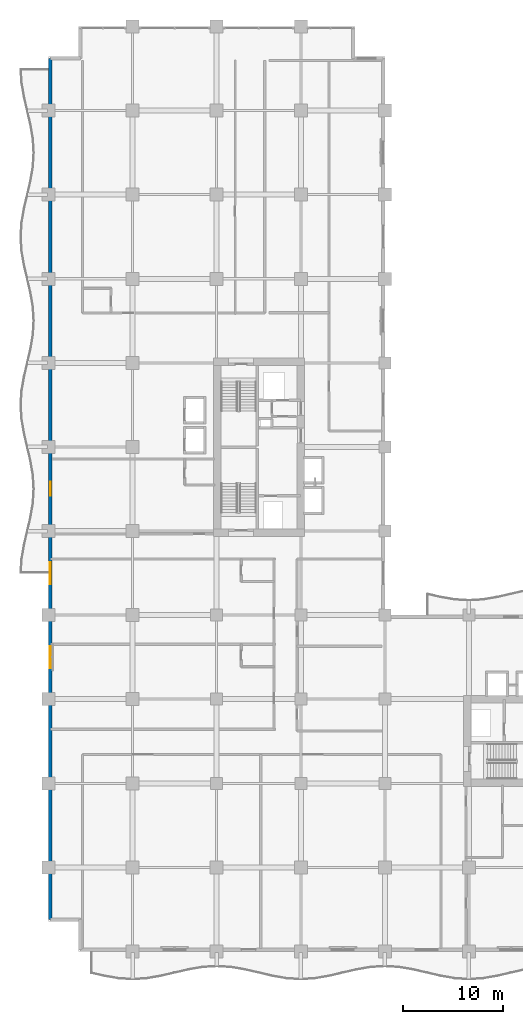
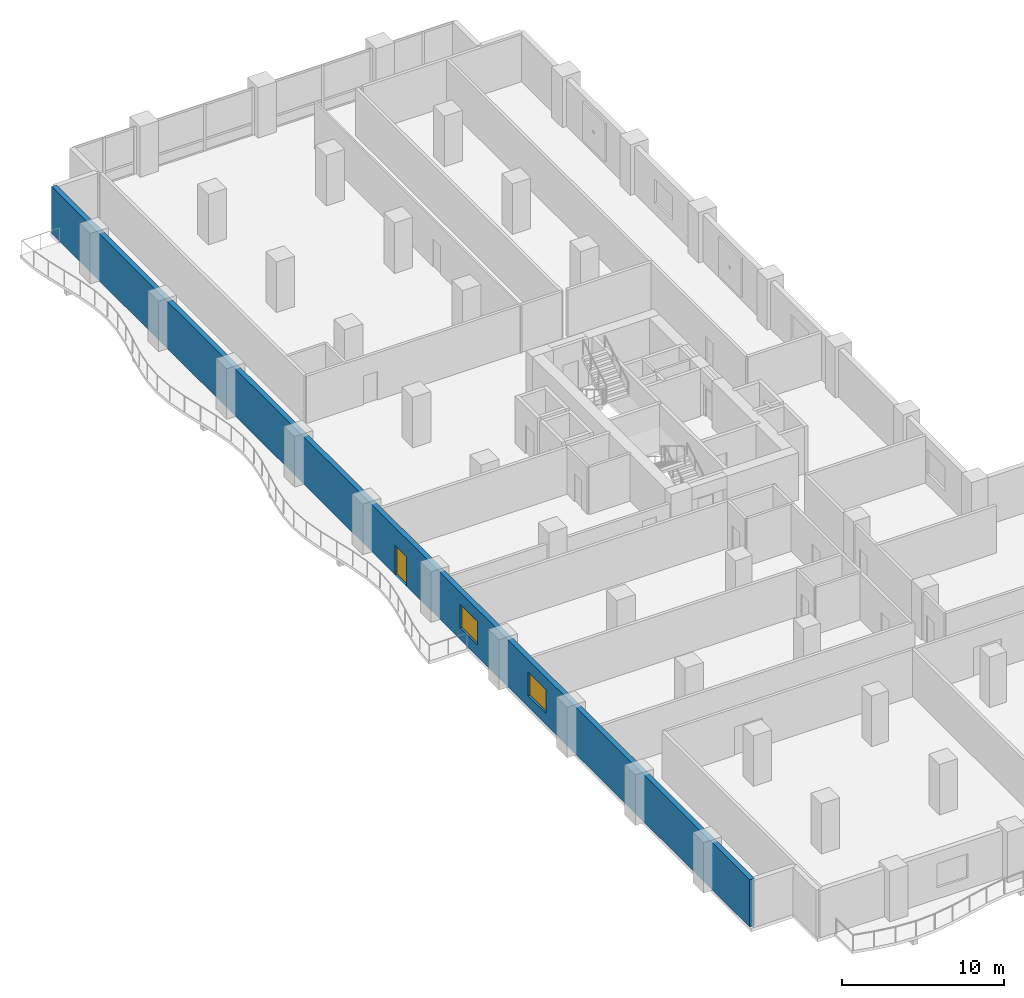
# One storey, part 9 of 22: 2 windows, 1 door, 1 wall, 3 openings.
"""IFC4 building model written with IfcOpenShell, lengths in metres."""

from ifc_helpers import new_model, si_unit, direction, frame, frame_2d, origin, place, context, subcontext, project, spatial, rectangle, extrude, material, layer, layer_set, type_object, element, fill, save


model = new_model("IFC4")

# Units and contexts
model_context = context("Model", 3, precision=1e-05, world=origin(), true_north=direction((0.0, 1.0)))
body_context = subcontext(model_context, "Body", "Model", "MODEL_VIEW")
ifc_project = project(units=[si_unit("LENGTHUNIT", "METRE"), si_unit("AREAUNIT", "SQUARE_METRE"), si_unit("VOLUMEUNIT", "CUBIC_METRE"), si_unit("PLANEANGLEUNIT", "RADIAN"), si_unit("MASSUNIT", "GRAM", prefix="KILO")], contexts=[model_context])

# Site, building, storey
site_placement = place(None, origin())
site = spatial("IfcSite", under=ifc_project, at=site_placement, CompositionType="ELEMENT")
building_placement = place(site_placement, origin())
building = spatial("IfcBuilding", under=site, at=building_placement, Name="Koriwani Terraces Tower", CompositionType="ELEMENT")
storey_placement = place(building_placement, frame((0.0, 0.0, 141.800048828125)))
storey = spatial("IfcBuildingStorey", under=building, at=storey_placement, Name="L34", CompositionType="ELEMENT", Elevation=141.800048828125)

# Wall, openings, door, windows
ifc_material_1 = material(Name="Concrete C50/60", Category="concrete")
ifc_layer = layer(ifc_material_1, 0.35009765625, Name="Concrete C50/60")
ifc_layer_set = layer_set([ifc_layer], Name="Concrete C50/60")
wall_type = type_object("IfcWallType", Name="WALL_EXT_BRUTALIST_350", PredefinedType="STANDARD", material=ifc_layer_set)
wall_placement = place(storey_placement, frame((0.175048828125, 3.175048828125, 0.0), z_axis=(0.0, 0.0, 1.0), x_axis=(0.0, 1.0, 0.0)))
wall = element("IfcWall", 1, at=wall_placement, inside=storey, type_object=wall_type, Name="L34 Fair-Faced Brutalist Exterior Wall (W)", PredefinedType="STANDARD", context=body_context, shape_type="SweptSolid", body=[
    extrude(rectangle(XDim=86.050048828125, YDim=0.35009765625, at=frame_2d((43.02490234375, 0.0))), origin(), (0.0, 0.0, 1.0), 3.550048828125),
])
opening_1_placement = place(wall_placement, frame((42.324951171875, 0.0, 0.0)))
opening_1 = element("IfcOpeningElement", 2, at=opening_1_placement, cuts=wall, Name="Opening D-09", PredefinedType="OPENING", context=body_context, shape_type="SweptSolid", body=[
    extrude(rectangle(XDim=1.39990234375, YDim=2.199951171875, at=frame_2d((0.699951171875, 1.10009765625))), frame((0.0, 0.18505859375, 0.0), z_axis=(0.0, -1.0, 0.0), x_axis=(1.0, 0.0, 0.0)), (0.0, 0.0, 1.0), 0.3701171875),
])
opening_2_placement = place(wall_placement, frame((25.125, 0.0, 0.85009765625)))
opening_2 = element("IfcOpeningElement", 3, at=opening_2_placement, cuts=wall, Name="Opening W-01", PredefinedType="OPENING", context=body_context, shape_type="SweptSolid", body=[
    extrude(rectangle(XDim=2.199951171875, YDim=1.800048828125, at=frame_2d((1.10009765625, 0.89990234375))), frame((0.0, 0.18505859375, 0.0), z_axis=(0.0, -1.0, 0.0), x_axis=(1.0, 0.0, 0.0)), (0.0, 0.0, 1.0), 0.3701171875),
])
opening_3_placement = place(wall_placement, frame((33.52490234375, 0.0, 0.85009765625)))
opening_3 = element("IfcOpeningElement", 4, at=opening_3_placement, cuts=wall, Name="Opening W-01", PredefinedType="OPENING", context=body_context, shape_type="SweptSolid", body=[
    extrude(rectangle(XDim=2.199951171875, YDim=1.800048828125, at=frame_2d((1.10009765625, 0.89990234375))), frame((0.0, 0.18505859375, 0.0), z_axis=(0.0, -1.0, 0.0), x_axis=(1.0, 0.0, 0.0)), (0.0, 0.0, 1.0), 0.3701171875),
])
ifc_material_2 = material(Name="Anodised Bronze Aluminium", Category="aluminium")
door_type = type_object("IfcDoorType", Name="DOOR_BALCONY_GLAZED_1400X2200", OperationType="NOTDEFINED", PredefinedType="DOOR", material=ifc_material_2)
door_placement = place(opening_1_placement, origin())
door = element("IfcDoor", 5, at=door_placement, inside=storey, type_object=door_type, Name="L34 West Balcony Glazed Door", OperationType="SINGLE_SWING_LEFT", OverallHeight=2.199951171875, OverallWidth=1.39990234375, PredefinedType="DOOR", context=body_context, shape_type="SweptSolid", body=[
    extrude(rectangle(XDim=1.39990234375, YDim=2.199951171875, at=frame_2d((0.699951171875, 1.10009765625))), frame((0.0, 0.02490234375, 0.0), z_axis=(0.0, -1.0, 0.0), x_axis=(1.0, 0.0, 0.0)), (0.0, 0.0, 1.0), 0.050048828125),
])
fill(opening_1, door)
ifc_material_3 = material(Name="Tempered Laminated Low-E Glass", Category="glass")
window_type = type_object("IfcWindowType", Name="WIN_HOTEL_STD_2200X1800", PartitioningType="DOUBLE_PANEL_VERTICAL", PredefinedType="WINDOW", material=ifc_material_3)
window_1_placement = place(opening_2_placement, origin())
window_1 = element("IfcWindow", 6, at=window_1_placement, inside=storey, type_object=window_type, Name="L34 Exterior Window (W-9)", OverallHeight=1.800048828125, OverallWidth=2.199951171875, PartitioningType="SINGLE_PANEL", PredefinedType="WINDOW", context=body_context, shape_type="SweptSolid", body=[
    extrude(rectangle(XDim=2.199951171875, YDim=1.800048828125, at=frame_2d((1.10009765625, 0.89990234375))), frame((0.0, 0.030029296875, 0.0), z_axis=(0.0, -1.0, 0.0), x_axis=(1.0, 0.0, 0.0)), (0.0, 0.0, 1.0), 0.06005859375),
])
fill(opening_2, window_1)
window_2_placement = place(opening_3_placement, origin())
window_2 = element("IfcWindow", 7, at=window_2_placement, inside=storey, type_object=window_type, Name="L34 Exterior Window (W-12)", OverallHeight=1.800048828125, OverallWidth=2.199951171875, PartitioningType="SINGLE_PANEL", PredefinedType="WINDOW", context=body_context, shape_type="SweptSolid", body=[
    extrude(rectangle(XDim=2.199951171875, YDim=1.800048828125, at=frame_2d((1.10009765625, 0.89990234375))), frame((0.0, 0.030029296875, 0.0), z_axis=(0.0, -1.0, 0.0), x_axis=(1.0, 0.0, 0.0)), (0.0, 0.0, 1.0), 0.06005859375),
])
fill(opening_3, window_2)

save(model, "model.ifc")
